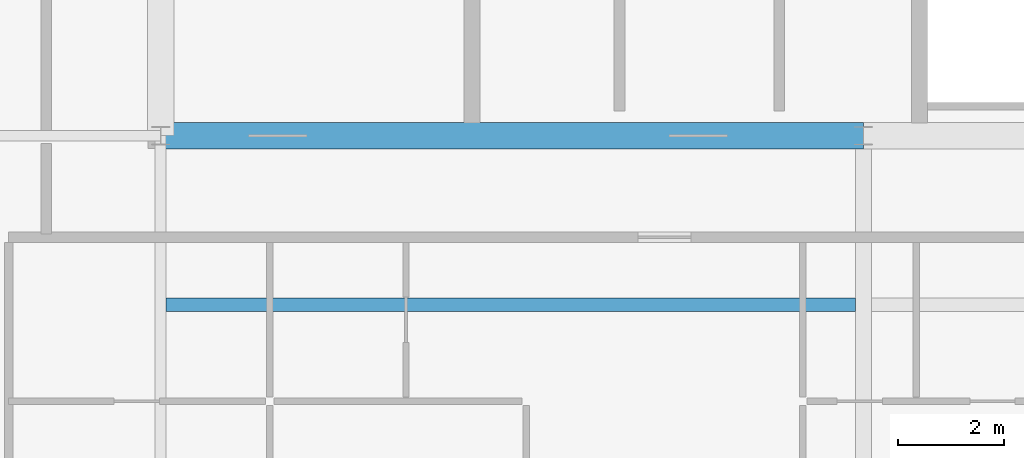
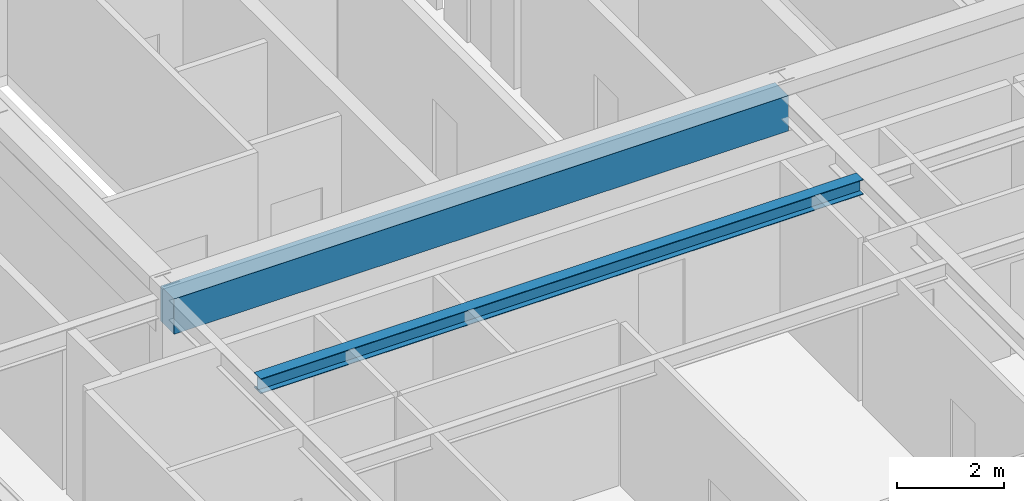
# One storey, part 7 of 34: 2 beams.
"""IFC4 building model written with IfcOpenShell, lengths in metres."""

from ifc_helpers import new_model, si_unit, direction, frame, origin, origin_2d, place, context, subcontext, project, spatial, rectangle, i_section, extrude, source, transform, mapped, material, material_profile, profile_set, type_object, element, save


model = new_model("IFC4")

# Units and contexts
model_context = context("Model", 3, precision=1e-05, world=origin(), true_north=direction((0.0, 1.0)))
body_context = subcontext(model_context, "Body", "Model", "MODEL_VIEW")
ifc_project = project(units=[si_unit("LENGTHUNIT", "METRE"), si_unit("AREAUNIT", "SQUARE_METRE"), si_unit("VOLUMEUNIT", "CUBIC_METRE"), si_unit("PLANEANGLEUNIT", "RADIAN"), si_unit("MASSUNIT", "GRAM", prefix="KILO"), si_unit("THERMODYNAMICTEMPERATUREUNIT", "KELVIN"), si_unit("POWERUNIT", "WATT")], contexts=[model_context])

# Site, building, storey
site_placement = place(None, origin())
site = spatial("IfcSite", under=ifc_project, at=site_placement, CompositionType="ELEMENT")
building_placement = place(site_placement, origin())
building = spatial("IfcBuilding", under=site, at=building_placement, Name="Yuzanri Waterfront Tower", CompositionType="ELEMENT")
storey_placement = place(building_placement, frame((0.0, 0.0, 347.199951171875)))
storey = spatial("IfcBuildingStorey", under=building, at=storey_placement, Name="L93", CompositionType="ELEMENT", Elevation=347.199951171875)

# Beams
ifc_material_1 = material(Name="Concrete C50", Category="concrete")
ifc_material_profile_1 = material_profile(ifc_material_1, rectangle(XDim=0.5, YDim=0.800048828125, at=origin_2d()), Name="RC 500x800")
ifc_profile_set_1 = profile_set([ifc_material_profile_1], Name="Concrete C50")
beam_type_1 = type_object("IfcBeamType", Name="Core Coupling Lintel Concrete C50 500x800", PredefinedType="LINTEL", material=ifc_profile_set_1)
shared_shape_1 = source(origin(), body_context, "Body", "SweptSolid", [
    extrude(rectangle(XDim=0.5, YDim=0.800048828125, at=origin_2d()), origin(), (0.0, 0.0, 1.0), 13.199951171875),
])
beam_1_placement = place(storey_placement, frame((23.800048828125, 19.39990234375, 3.300048828125), z_axis=(1.0, 0.0, 0.0), x_axis=(0.0, 1.0, 0.0)))
element("IfcBeam", 1, at=beam_1_placement, inside=storey, type_object=beam_type_1, Name="L93 Core Tie Beam CS1", PredefinedType="LINTEL", context=body_context, shape_type="MappedRepresentation", body=[
    mapped(shared_shape_1, transform((0.0, 0.0, 0.0), scale=1.0)),
])
ifc_material_2 = material(Name="Steel Q355B", Category="steel")
ifc_material_profile_2 = material_profile(ifc_material_2, i_section(OverallWidth=0.25, OverallDepth=0.340087890625, WebThickness=0.009033203125, FlangeThickness=0.013916015625, at=origin_2d()), Name="HM 340x250x9x14")
ifc_profile_set_2 = profile_set([ifc_material_profile_2], Name="Steel Q355B")
beam_type_2 = type_object("IfcBeamType", Name="Penthouse Floor Girder Q355B HM 340x250", PredefinedType="BEAM", material=ifc_profile_set_2)
shared_shape_2 = source(origin(), body_context, "Body", "SweptSolid", [
    extrude(i_section(OverallWidth=0.25, OverallDepth=0.340087890625, WebThickness=0.009033203125, FlangeThickness=0.013916015625, at=origin_2d()), origin(), (0.0, 0.0, 1.0), 12.9501953125),
])
beam_2_placement = place(storey_placement, frame((23.89990234375, 16.22509765625, 3.530029296875), z_axis=(1.0, 0.0, 0.0), x_axis=(0.0, 1.0, 0.0)))
element("IfcBeam", 2, at=beam_2_placement, inside=storey, type_object=beam_type_2, Name="L93 Penthouse Trim Girder W", PredefinedType="BEAM", context=body_context, shape_type="MappedRepresentation", body=[
    mapped(shared_shape_2, transform((0.0, 0.0, 0.0), scale=1.0)),
])

save(model, "model.ifc")
